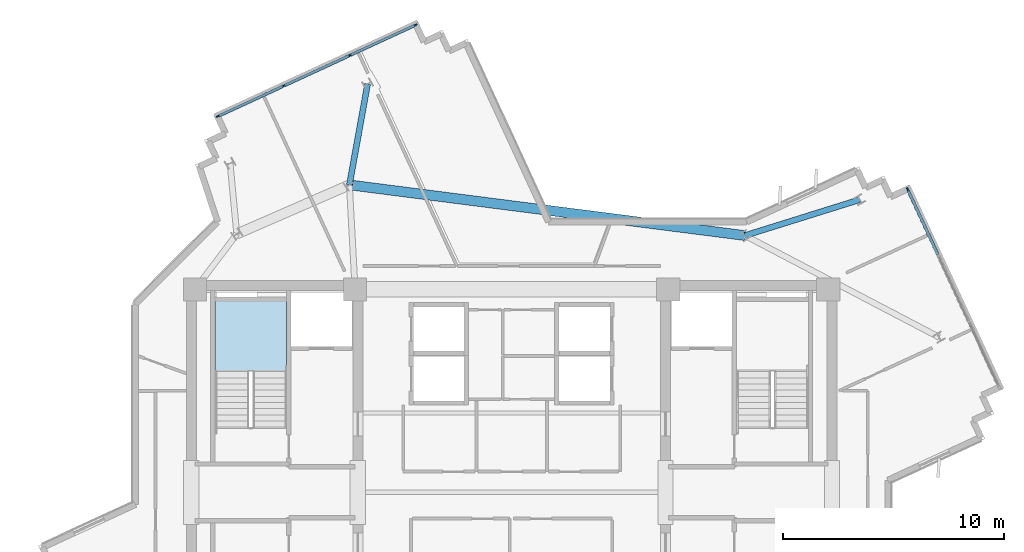
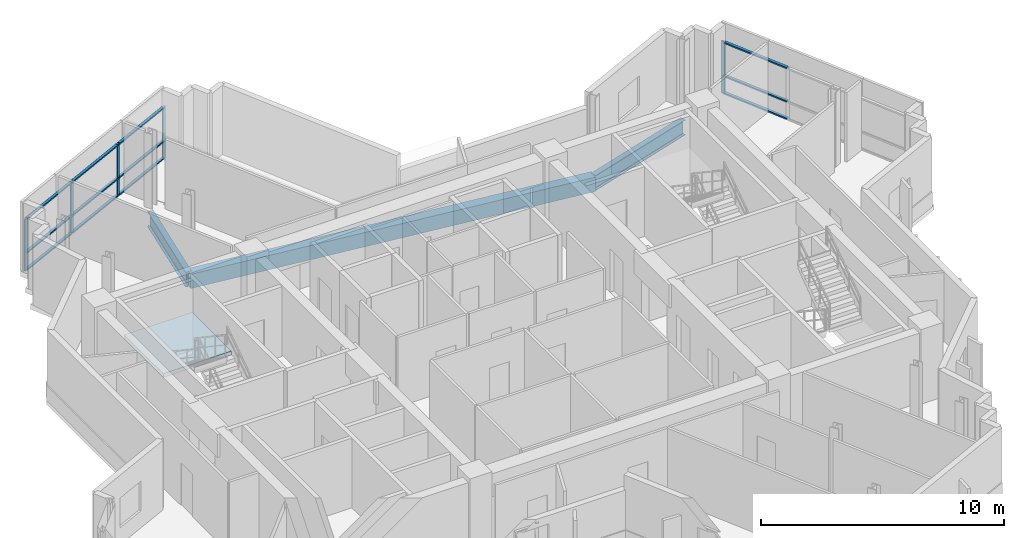
# One storey, part 3 of 12: 17 members, 3 beams, 1 slab, 3 elements without a shape of their own.
"""IFC4 building model written with IfcOpenShell, lengths in metres."""

from ifc_helpers import new_model, si_unit, direction, frame, origin, origin_2d, place, context, subcontext, project, spatial, polyline, rectangle, i_section, outline, extrude, source, transform, mapped, material, layer, layer_set, material_profile, profile_set, type_object, element, aggregate, save


model = new_model("IFC4")

# Units and contexts
model_context = context("Model", 3, precision=1e-05, world=origin(), true_north=direction((0.0, 1.0)))
body_context = subcontext(model_context, "Body", "Model", "MODEL_VIEW")
ifc_project = project(units=[si_unit("LENGTHUNIT", "METRE"), si_unit("AREAUNIT", "SQUARE_METRE"), si_unit("VOLUMEUNIT", "CUBIC_METRE"), si_unit("PLANEANGLEUNIT", "RADIAN"), si_unit("MASSUNIT", "GRAM", prefix="KILO")], contexts=[model_context])

# Site, building, storey
site_placement = place(None, origin())
site = spatial("IfcSite", under=ifc_project, at=site_placement, CompositionType="ELEMENT")
building_placement = place(site_placement, origin())
building = spatial("IfcBuilding", under=site, at=building_placement, Name="Zahravan Cultural Tower", CompositionType="ELEMENT")
storey_placement = place(building_placement, frame((0.0, 0.0, 242.85009765625)))
storey = spatial("IfcBuildingStorey", under=building, at=storey_placement, Name="L57", CompositionType="ELEMENT", Elevation=242.85009765625)

# Beams
ifc_material_1 = material(Name="Steel ASTM A992 Grade 50", Category="steel")
ifc_material_profile_1 = material_profile(ifc_material_1, i_section(OverallWidth=0.26708984375, OverallDepth=0.761962890625, WebThickness=0.014404296875, FlangeThickness=0.021484375, FilletRadius=0.01904296875, at=origin_2d()), Name="W30X116")
ifc_profile_set_1 = profile_set([ifc_material_profile_1], Name="Steel ASTM A992 Grade 50")
beam_type_1 = type_object("IfcBeamType", Name="BM-G-W30X116", PredefinedType="BEAM", material=ifc_profile_set_1)
shared_shape_1 = source(origin(), body_context, "Body", "SweptSolid", [
    extrude(i_section(OverallWidth=0.26708984375, OverallDepth=0.761962890625, WebThickness=0.014404296875, FlangeThickness=0.021484375, FilletRadius=0.01904296875, at=origin_2d()), origin(), (0.0, 0.0, 1.0), 5.450927734375),
])
beam_1_placement = place(storey_placement, frame((46.577880859375, 38.640625, -0.631103515625), z_axis=(0.954416996605, 0.298476459025, 0.0), x_axis=(-0.298476459025, 0.954416996605, 0.0)))
element("IfcBeam", 1, at=beam_1_placement, inside=storey, type_object=beam_type_1, Name="L57 Beam BG-L57-13", PredefinedType="BEAM", context=body_context, shape_type="MappedRepresentation", body=[
    mapped(shared_shape_1, transform((0.0, 0.0, 0.0), x_axis=(1.0, 0.0, 0.0), y_axis=(0.0, 1.0, 0.0), z_axis=(0.0, 0.0, 1.0), scale=1.0)),
])
shared_shape_2 = source(origin(), body_context, "Body", "SweptSolid", [
    extrude(i_section(OverallWidth=0.26708984375, OverallDepth=0.761962890625, WebThickness=0.014404296875, FlangeThickness=0.021484375, FilletRadius=0.01904296875, at=origin_2d()), origin(), (0.0, 0.0, 1.0), 4.65087890625),
])
beam_2_placement = place(storey_placement, frame((28.642578125, 40.937255859375, -0.631103515625), z_axis=(0.177425522697, 0.984134230629, 0.0), x_axis=(-0.984134230629, 0.177425522697, 0.0)))
element("IfcBeam", 2, at=beam_2_placement, inside=storey, type_object=beam_type_1, Name="L57 Beam BG-L57-14", PredefinedType="BEAM", context=body_context, shape_type="MappedRepresentation", body=[
    mapped(shared_shape_2, transform((0.0, 0.0, 0.0), x_axis=(1.0, 0.0, 0.0), y_axis=(0.0, 1.0, 0.0), z_axis=(0.0, 0.0, 1.0), scale=1.0)),
])
ifc_material_2 = material(Name="Concrete C45/55", Category="concrete")
ifc_material_profile_2 = material_profile(ifc_material_2, rectangle(XDim=0.449951171875, YDim=0.719970703125, at=origin_2d()), Name="RC450X720")
ifc_profile_set_2 = profile_set([ifc_material_profile_2], Name="Concrete C45/55")
beam_type_2 = type_object("IfcBeamType", Name="BM-SP-RC450X720", PredefinedType="SPANDREL", material=ifc_profile_set_2)
shared_shape_3 = source(origin(), body_context, "Body", "SweptSolid", [
    extrude(rectangle(XDim=0.449951171875, YDim=0.719970703125, at=origin_2d()), origin(), (0.0, 0.0, 1.0), 18.081787109375),
])
beam_3_placement = place(storey_placement, frame((46.577880859375, 38.640625, -0.610107421875), z_axis=(-0.991900954377, 0.127013765812, 0.0), x_axis=(-0.127013765812, -0.991900954377, 0.0)))
element("IfcBeam", 3, at=beam_3_placement, inside=storey, type_object=beam_type_2, Name="L57 Beam SP-L57-22", PredefinedType="SPANDREL", context=body_context, shape_type="MappedRepresentation", body=[
    mapped(shared_shape_3, transform((0.0, 0.0, 0.0), x_axis=(1.0, 0.0, 0.0), y_axis=(0.0, 1.0, 0.0), z_axis=(0.0, 0.0, 1.0), scale=1.0)),
])

# Curtain wall, members
ifc_material_3 = material(Name="Anodised bronze-aluminium mullion", Category="aluminium")
ifc_layer_1 = layer(ifc_material_3, 0.179931640625)
ifc_layer_set_1 = layer_set([ifc_layer_1], Name="Anodised bronze-aluminium mullion")
curtain_wall_type_1 = type_object("IfcCurtainWallType", Name="CW-SYS-3", PredefinedType="USERDEFINED", material=ifc_layer_set_1)
curtain_wall_1_placement = place(storey_placement, origin())
curtain_wall_1 = element("IfcCurtainWall", 4, at=curtain_wall_1_placement, inside=storey, type_object=curtain_wall_type_1, Name="L57 Recessed Curtain Wall CW-3.1", ObjectType="RECESSED GLAZING", PredefinedType="USERDEFINED")
ifc_material_profile_3 = material_profile(ifc_material_3, rectangle(XDim=0.139892578125, YDim=0.070068359375, at=origin_2d()), Name="AL-T70X140")
ifc_profile_set_3 = profile_set([ifc_material_profile_3], Name="Anodised bronze-aluminium mullion")
member_type_1 = type_object("IfcMemberType", Name="CWT-CW-3", PredefinedType="USERDEFINED", material=ifc_profile_set_3)
shared_shape_4 = source(origin(), body_context, "Body", "SweptSolid", [
    extrude(rectangle(XDim=0.139892578125, YDim=0.070068359375, at=origin_2d()), origin(), (0.0, 0.0, 1.0), 3.20166015625),
])
member_1_placement = place(storey_placement, frame((53.974365234375, 40.692138671875, 0.034912109375), z_axis=(0.419488516178, -0.907760642898, 0.0), x_axis=(0.907760642898, 0.419488516178, 0.0)))
member_1 = element("IfcMember", 5, at=member_1_placement, type_object=member_type_1, Name="CW-3 transom 1.1", ObjectType="TRANSOM", PredefinedType="USERDEFINED", context=body_context, shape_type="MappedRepresentation", body=[
    mapped(shared_shape_4, transform((0.0, 0.0, 0.0), x_axis=(1.0, 0.0, 0.0), y_axis=(0.0, 1.0, 0.0), z_axis=(0.0, 0.0, 1.0), scale=1.0)),
])
member_2_placement = place(storey_placement, frame((53.974365234375, 40.692138671875, 0.89990234375), z_axis=(0.419488516178, -0.907760642898, 0.0), x_axis=(0.907760642898, 0.419488516178, 0.0)))
member_2 = element("IfcMember", 6, at=member_2_placement, type_object=member_type_1, Name="CW-3 transom 1.2", ObjectType="TRANSOM", PredefinedType="USERDEFINED", context=body_context, shape_type="MappedRepresentation", body=[
    mapped(shared_shape_4, transform((0.0, 0.0, 0.0), x_axis=(1.0, 0.0, 0.0), y_axis=(0.0, 1.0, 0.0), z_axis=(0.0, 0.0, 1.0), scale=1.0)),
])
member_3_placement = place(storey_placement, frame((53.974365234375, 40.692138671875, 2.5849609375), z_axis=(0.419488516178, -0.907760642898, 0.0), x_axis=(0.907760642898, 0.419488516178, 0.0)))
member_3 = element("IfcMember", 7, at=member_3_placement, type_object=member_type_1, Name="CW-3 transom 1.3", ObjectType="TRANSOM", PredefinedType="USERDEFINED", context=body_context, shape_type="MappedRepresentation", body=[
    mapped(shared_shape_4, transform((0.0, 0.0, 0.0), x_axis=(1.0, 0.0, 0.0), y_axis=(0.0, 1.0, 0.0), z_axis=(0.0, 0.0, 1.0), scale=1.0)),
])

ifc_layer_2 = layer(ifc_material_3, 0.1650390625)
ifc_layer_set_2 = layer_set([ifc_layer_2], Name="Anodised bronze-aluminium mullion")
curtain_wall_type_2 = type_object("IfcCurtainWallType", Name="CW-SYS-4", PredefinedType="USERDEFINED", material=ifc_layer_set_2)
curtain_wall_2_placement = place(storey_placement, origin())
curtain_wall_2 = element("IfcCurtainWall", 8, at=curtain_wall_2_placement, inside=storey, type_object=curtain_wall_type_2, Name="L57 Recessed Curtain Wall CW-4.2", ObjectType="RECESSED GLAZING", PredefinedType="USERDEFINED")
ifc_material_profile_4 = material_profile(ifc_material_3, rectangle(XDim=0.1298828125, YDim=0.06494140625, at=origin_2d()), Name="AL-T65X130")
ifc_profile_set_4 = profile_set([ifc_material_profile_4], Name="Anodised bronze-aluminium mullion")
member_type_2 = type_object("IfcMemberType", Name="CWT-CW-4", PredefinedType="USERDEFINED", material=ifc_profile_set_4)
shared_shape_5 = source(origin(), body_context, "Body", "SweptSolid", [
    extrude(rectangle(XDim=0.1298828125, YDim=0.06494140625, at=origin_2d()), origin(), (0.0, 0.0, 1.0), 3.241455078125),
])
member_4_placement = place(storey_placement, frame((25.695068359375, 45.43798828125, 0.032470703125), z_axis=(0.907785160542, 0.419435456655, 0.0), x_axis=(-0.419435456655, 0.907785160542, 0.0)))
member_4 = element("IfcMember", 9, at=member_4_placement, type_object=member_type_2, Name="CW-4 transom 2.1", ObjectType="TRANSOM", PredefinedType="USERDEFINED", context=body_context, shape_type="MappedRepresentation", body=[
    mapped(shared_shape_5, transform((0.0, 0.0, 0.0), x_axis=(1.0, 0.0, 0.0), y_axis=(0.0, 1.0, 0.0), z_axis=(0.0, 0.0, 1.0), scale=1.0)),
])
member_5_placement = place(storey_placement, frame((25.695068359375, 45.43798828125, 0.89990234375), z_axis=(0.907785160542, 0.419435456655, 0.0), x_axis=(-0.419435456655, 0.907785160542, 0.0)))
member_5 = element("IfcMember", 10, at=member_5_placement, type_object=member_type_2, Name="CW-4 transom 2.2", ObjectType="TRANSOM", PredefinedType="USERDEFINED", context=body_context, shape_type="MappedRepresentation", body=[
    mapped(shared_shape_5, transform((0.0, 0.0, 0.0), x_axis=(1.0, 0.0, 0.0), y_axis=(0.0, 1.0, 0.0), z_axis=(0.0, 0.0, 1.0), scale=1.0)),
])
member_6_placement = place(storey_placement, frame((25.695068359375, 45.43798828125, 2.58740234375), z_axis=(0.907785160542, 0.419435456655, 0.0), x_axis=(-0.419435456655, 0.907785160542, 0.0)))
member_6 = element("IfcMember", 11, at=member_6_placement, type_object=member_type_2, Name="CW-4 transom 2.3", ObjectType="TRANSOM", PredefinedType="USERDEFINED", context=body_context, shape_type="MappedRepresentation", body=[
    mapped(shared_shape_5, transform((0.0, 0.0, 0.0), x_axis=(1.0, 0.0, 0.0), y_axis=(0.0, 1.0, 0.0), z_axis=(0.0, 0.0, 1.0), scale=1.0)),
])
shared_shape_6 = source(origin(), body_context, "Body", "SweptSolid", [
    extrude(rectangle(XDim=0.1298828125, YDim=0.06494140625, at=origin_2d()), origin(), (0.0, 0.0, 1.0), 3.208984375),
])
member_7_placement = place(storey_placement, frame((22.722900390625, 44.064453125, 0.032470703125), z_axis=(0.907758880937, 0.419492328988, 0.0), x_axis=(-0.419492328988, 0.907758880937, 0.0)))
member_7 = element("IfcMember", 12, at=member_7_placement, type_object=member_type_2, Name="CW-4 transom 1.1", ObjectType="TRANSOM", PredefinedType="USERDEFINED", context=body_context, shape_type="MappedRepresentation", body=[
    mapped(shared_shape_6, transform((0.0, 0.0, 0.0), x_axis=(1.0, 0.0, 0.0), y_axis=(0.0, 1.0, 0.0), z_axis=(0.0, 0.0, 1.0), scale=1.0)),
])
member_8_placement = place(storey_placement, frame((22.722900390625, 44.064453125, 0.89990234375), z_axis=(0.907758880937, 0.419492328988, 0.0), x_axis=(-0.419492328988, 0.907758880937, 0.0)))
member_8 = element("IfcMember", 13, at=member_8_placement, type_object=member_type_2, Name="CW-4 transom 1.2", ObjectType="TRANSOM", PredefinedType="USERDEFINED", context=body_context, shape_type="MappedRepresentation", body=[
    mapped(shared_shape_6, transform((0.0, 0.0, 0.0), x_axis=(1.0, 0.0, 0.0), y_axis=(0.0, 1.0, 0.0), z_axis=(0.0, 0.0, 1.0), scale=1.0)),
])
member_9_placement = place(storey_placement, frame((22.722900390625, 44.064453125, 2.58740234375), z_axis=(0.907758880937, 0.419492328988, 0.0), x_axis=(-0.419492328988, 0.907758880937, 0.0)))
member_9 = element("IfcMember", 14, at=member_9_placement, type_object=member_type_2, Name="CW-4 transom 1.3", ObjectType="TRANSOM", PredefinedType="USERDEFINED", context=body_context, shape_type="MappedRepresentation", body=[
    mapped(shared_shape_6, transform((0.0, 0.0, 0.0), x_axis=(1.0, 0.0, 0.0), y_axis=(0.0, 1.0, 0.0), z_axis=(0.0, 0.0, 1.0), scale=1.0)),
])
member_10_placement = place(storey_placement, frame((28.69677734375, 46.824951171875, 0.032470703125), z_axis=(0.907758880937, 0.419492328988, 0.0), x_axis=(-0.419492328988, 0.907758880937, 0.0)))
member_10 = element("IfcMember", 15, at=member_10_placement, type_object=member_type_2, Name="CW-4 transom 3.1", ObjectType="TRANSOM", PredefinedType="USERDEFINED", context=body_context, shape_type="MappedRepresentation", body=[
    mapped(shared_shape_6, transform((0.0, 0.0, 0.0), x_axis=(1.0, 0.0, 0.0), y_axis=(0.0, 1.0, 0.0), z_axis=(0.0, 0.0, 1.0), scale=1.0)),
])
member_11_placement = place(storey_placement, frame((28.69677734375, 46.824951171875, 0.89990234375), z_axis=(0.907758880937, 0.419492328988, 0.0), x_axis=(-0.419492328988, 0.907758880937, 0.0)))
member_11 = element("IfcMember", 16, at=member_11_placement, type_object=member_type_2, Name="CW-4 transom 3.2", ObjectType="TRANSOM", PredefinedType="USERDEFINED", context=body_context, shape_type="MappedRepresentation", body=[
    mapped(shared_shape_6, transform((0.0, 0.0, 0.0), x_axis=(1.0, 0.0, 0.0), y_axis=(0.0, 1.0, 0.0), z_axis=(0.0, 0.0, 1.0), scale=1.0)),
])
member_12_placement = place(storey_placement, frame((28.69677734375, 46.824951171875, 2.58740234375), z_axis=(0.907758880937, 0.419492328988, 0.0), x_axis=(-0.419492328988, 0.907758880937, 0.0)))
member_12 = element("IfcMember", 17, at=member_12_placement, type_object=member_type_2, Name="CW-4 transom 3.3", ObjectType="TRANSOM", PredefinedType="USERDEFINED", context=body_context, shape_type="MappedRepresentation", body=[
    mapped(shared_shape_6, transform((0.0, 0.0, 0.0), x_axis=(1.0, 0.0, 0.0), y_axis=(0.0, 1.0, 0.0), z_axis=(0.0, 0.0, 1.0), scale=1.0)),
])

# Member
ifc_material_profile_5 = material_profile(ifc_material_3, rectangle(XDim=0.070068359375, YDim=0.179931640625, at=origin_2d()), Name="AL-M70X180")
ifc_profile_set_5 = profile_set([ifc_material_profile_5], Name="Anodised bronze-aluminium mullion")
member_type_3 = type_object("IfcMemberType", Name="CWM-CW-3", PredefinedType="MULLION", material=ifc_profile_set_5)
shared_shape_7 = source(origin(), body_context, "Body", "SweptSolid", [
    extrude(rectangle(XDim=0.070068359375, YDim=0.179931640625, at=origin_2d()), origin(), (0.0, 0.0, 1.0), 2.619873046875),
])
member_13_placement = place(storey_placement, frame((53.959716796875, 40.723876953125, 0.0), z_axis=(0.0, 0.0, 1.0), x_axis=(0.907775189262, 0.419457036846, 0.0)))
member_13 = element("IfcMember", 18, at=member_13_placement, type_object=member_type_3, Name="CW-3 mullion 1", PredefinedType="MULLION", context=body_context, shape_type="MappedRepresentation", body=[
    mapped(shared_shape_7, transform((0.0, 0.0, 0.0), x_axis=(1.0, 0.0, 0.0), y_axis=(0.0, 1.0, 0.0), z_axis=(0.0, 0.0, 1.0), scale=1.0)),
])

aggregate(curtain_wall_1, [member_13, member_1, member_2, member_3])

ifc_material_profile_6 = material_profile(ifc_material_3, rectangle(XDim=0.06494140625, YDim=0.1650390625, at=origin_2d()), Name="AL-M65X165")
ifc_profile_set_6 = profile_set([ifc_material_profile_6], Name="Anodised bronze-aluminium mullion")
member_type_4 = type_object("IfcMemberType", Name="CWM-CW-4", PredefinedType="MULLION", material=ifc_profile_set_6)
shared_shape_8 = source(origin(), body_context, "Body", "SweptSolid", [
    extrude(rectangle(XDim=0.06494140625, YDim=0.1650390625, at=origin_2d()), origin(), (0.0, 0.0, 1.0), 2.619873046875),
])
member_14_placement = place(storey_placement, frame((22.693359375, 44.051025390625, 0.0), z_axis=(0.0, 0.0, 1.0), x_axis=(-0.419457036846, 0.907775189262, 0.0)))
member_14 = element("IfcMember", 19, at=member_14_placement, type_object=member_type_4, Name="CW-4 mullion 1", PredefinedType="MULLION", context=body_context, shape_type="MappedRepresentation", body=[
    mapped(shared_shape_8, transform((0.0, 0.0, 0.0), x_axis=(1.0, 0.0, 0.0), y_axis=(0.0, 1.0, 0.0), z_axis=(0.0, 0.0, 1.0), scale=1.0)),
])

member_15_placement = place(storey_placement, frame((25.66552734375, 45.42431640625, 0.0), z_axis=(0.0, 0.0, 1.0), x_axis=(-0.419457036846, 0.907775189262, 0.0)))
member_15 = element("IfcMember", 20, at=member_15_placement, type_object=member_type_4, Name="CW-4 mullion 2", PredefinedType="MULLION", context=body_context, shape_type="MappedRepresentation", body=[
    mapped(shared_shape_8, transform((0.0, 0.0, 0.0), x_axis=(1.0, 0.0, 0.0), y_axis=(0.0, 1.0, 0.0), z_axis=(0.0, 0.0, 1.0), scale=1.0)),
])

member_16_placement = place(storey_placement, frame((28.667236328125, 46.811279296875, 0.0), z_axis=(0.0, 0.0, 1.0), x_axis=(-0.419457036846, 0.907775189262, 0.0)))
member_16 = element("IfcMember", 21, at=member_16_placement, type_object=member_type_4, Name="CW-4 mullion 3", PredefinedType="MULLION", context=body_context, shape_type="MappedRepresentation", body=[
    mapped(shared_shape_8, transform((0.0, 0.0, 0.0), x_axis=(1.0, 0.0, 0.0), y_axis=(0.0, 1.0, 0.0), z_axis=(0.0, 0.0, 1.0), scale=1.0)),
])

member_17_placement = place(storey_placement, frame((31.639404296875, 48.1845703125, 0.0), z_axis=(0.0, 0.0, 1.0), x_axis=(-0.419457036846, 0.907775189262, 0.0)))
member_17 = element("IfcMember", 22, at=member_17_placement, type_object=member_type_4, Name="CW-4 mullion 4", PredefinedType="MULLION", context=body_context, shape_type="MappedRepresentation", body=[
    mapped(shared_shape_8, transform((0.0, 0.0, 0.0), x_axis=(1.0, 0.0, 0.0), y_axis=(0.0, 1.0, 0.0), z_axis=(0.0, 0.0, 1.0), scale=1.0)),
])

aggregate(curtain_wall_2, [member_14, member_15, member_16, member_17, member_7, member_8, member_9, member_4, member_5, member_6, member_10, member_11, member_12])

# Stair, slab
stair_type = type_object("IfcStairType", Name="STR-DL-1550-375", PredefinedType="HALF_TURN_STAIR", material=ifc_material_2)
stair_placement = place(storey_placement, origin())
stair = element("IfcStair", 23, at=stair_placement, inside=storey, type_object=stair_type, Name="L57 West Core North Exit Stair ST-W1", PredefinedType="HALF_TURN_STAIR")
ifc_layer_3 = layer(ifc_material_2, 0.199951171875)
ifc_layer_set_3 = layer_set([ifc_layer_3], Name="Concrete C45/55")
slab_type = type_object("IfcSlabType", Name="SL-STAIR-LND200", PredefinedType="LANDING", material=ifc_layer_set_3)
slab_placement = place(storey_placement, frame((0.0, 0.0, 1.6748046875)))
slab = element("IfcSlab", 24, at=slab_placement, type_object=slab_type, Name="ST-W1 landing 1", PredefinedType="LANDING", context=body_context, shape_type="SweptSolid", body=[
    extrude(outline(polyline([(25.800048828125, 32.469970703125), (25.800048828125, 35.699951171875), (22.550048828125, 35.699951171875), (22.550048828125, 32.469970703125), (25.800048828125, 32.469970703125)])), origin(), (0.0, 0.0, 1.0), 0.2001953125),
])
aggregate(stair, [slab])

save(model, "model.ifc")
